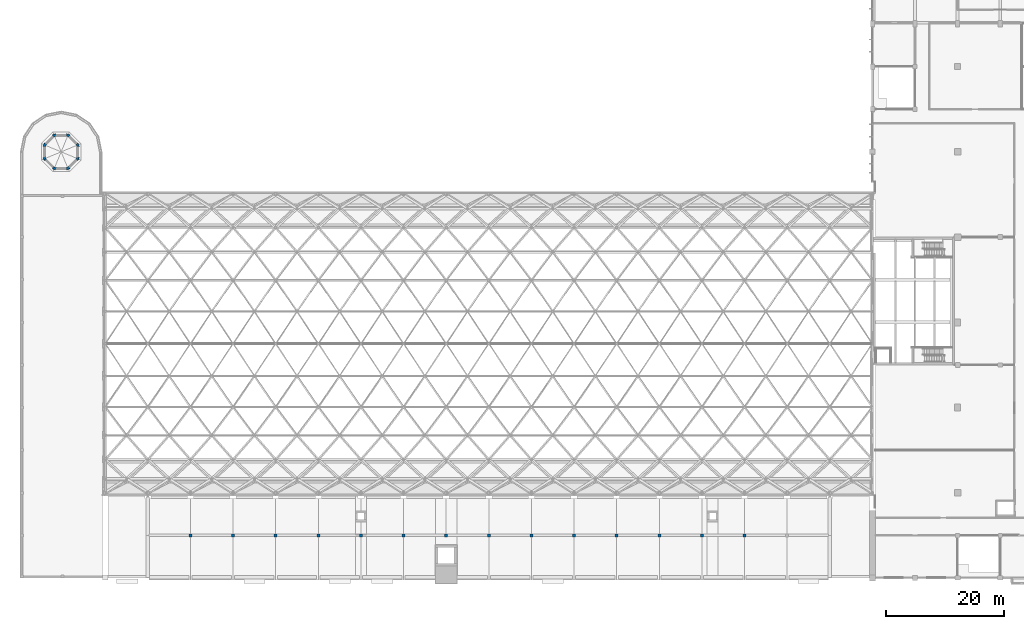
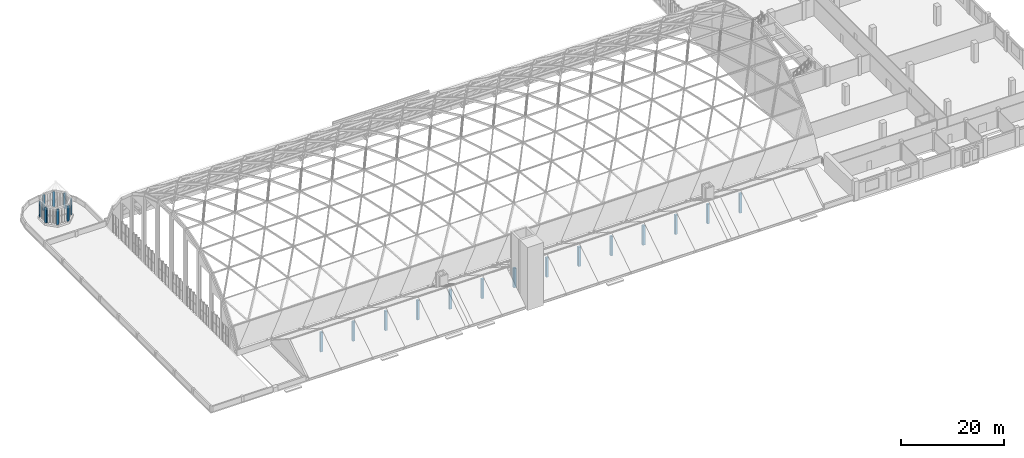
# One storey, part 1 of 52: 22 columns.
"""IFC4 building model written with IfcOpenShell, lengths in metres."""

from ifc_helpers import new_model, si_unit, direction, frame, origin, origin_2d, place, context, subcontext, project, spatial, rectangle, extrude, material, material_profile, profile_set, type_object, element, save


model = new_model("IFC4")

# Units and contexts
model_context = context("Model", 3, precision=1e-05, world=origin(), true_north=direction((0.0, 1.0)))
body_context = subcontext(model_context, "Body", "Model", "MODEL_VIEW")
ifc_project = project(units=[si_unit("LENGTHUNIT", "METRE"), si_unit("AREAUNIT", "SQUARE_METRE"), si_unit("VOLUMEUNIT", "CUBIC_METRE"), si_unit("PLANEANGLEUNIT", "RADIAN"), si_unit("MASSUNIT", "GRAM", prefix="KILO")], contexts=[model_context])

# Site, building, storey
site_placement = place(None, origin())
site = spatial("IfcSite", under=ifc_project, at=site_placement, CompositionType="ELEMENT")
building_placement = place(site_placement, origin())
building = spatial("IfcBuilding", under=site, at=building_placement, Name="Vermilion Court Aquatics Centre", CompositionType="ELEMENT")
storey_placement = place(building_placement, frame((0.0, 0.0, 12.0)))
storey = spatial("IfcBuildingStorey", under=building, at=storey_placement, Name="L02", CompositionType="ELEMENT", Elevation=12.0)

# Columns
ifc_material_1 = material(Name="Concrete 5000 psi", Category="concrete")
ifc_material_profile_1 = material_profile(ifc_material_1, rectangle(XDim=0.35009765625, YDim=0.5, at=origin_2d()), Name="RC 350x500")
ifc_profile_set_1 = profile_set([ifc_material_profile_1], Name="Concrete 5000 psi")
column_type_1 = type_object("IfcColumnType", Name="Rotunda lantern pier column RC 350x500", PredefinedType="COLUMN", material=ifc_profile_set_1)
for number, where, z_axis, x_axis, name in (
    (1, (9.7314453125, 73.152099609375, 0.449951171875), (0.0, 0.0, 1.0), (0.923879532511, 0.382683432365, 0.0), "Rotunda lantern pier"),
    (2, (8.10205078125, 74.781494140625, 0.449951171875), (0.0, 0.0, 1.0), (0.382683432365, 0.923879532511, 0.0), "Rotunda lantern pier"),
    (3, (5.7978515625, 74.781494140625, 0.449951171875), (0.0, 0.0, 1.0), (-0.382683432365, 0.923879532511, 0.0), "Rotunda lantern pier"),
    (4, (4.168701171875, 73.152099609375, 0.449951171875), (0.0, 0.0, 1.0), (-0.923879532511, 0.382683432365, 0.0), "Rotunda lantern pier"),
    (5, (4.168701171875, 70.847900390625, 0.449951171875), (0.0, 0.0, 1.0), (-0.923879532511, -0.382683432365, 0.0), "Rotunda lantern pier"),
    (6, (5.7978515625, 69.218505859375, 0.449951171875), (0.0, 0.0, 1.0), (-0.382683432365, -0.923879532511, 0.0), "Rotunda lantern pier"),
    (7, (8.10205078125, 69.218505859375, 0.449951171875), (0.0, 0.0, 1.0), (0.382683432365, -0.923879532511, 0.0), "Rotunda lantern pier"),
    (8, (9.7314453125, 70.847900390625, 0.449951171875), (0.0, 0.0, 1.0), (0.923879532511, -0.382683432365, 0.0), "Rotunda lantern pier"),
):
    element("IfcColumn", number, at=place(storey_placement, frame(where, z_axis=z_axis, x_axis=x_axis)), inside=storey, type_object=column_type_1, Name=name, PredefinedType="COLUMN", context=body_context, shape_type="SweptSolid", body=[
        extrude(rectangle(XDim=0.35009765625, YDim=0.5, at=origin_2d()), origin(), (0.0, 0.0, 1.0), 3.650146484375),
    ])
ifc_material_2 = material(Name="Concrete 5000 psi", Category="concrete")
ifc_material_profile_2 = material_profile(ifc_material_2, rectangle(XDim=0.5, YDim=0.5, at=origin_2d()), Name="RC 500x500")
ifc_profile_set_2 = profile_set([ifc_material_profile_2], Name="Concrete 5000 psi")
column_type_2 = type_object("IfcColumnType", Name="South column RC 500x500", PredefinedType="COLUMN", material=ifc_profile_set_2)
for number, where, z_axis, x_axis, name in (
    (9, (28.800048828125, 7.199951171875, 0.0), (0.0, 0.0, 1.0), (1.0, 0.0, 0.0), "South attic column"),
    (10, (36.0, 7.199951171875, 0.0), (0.0, 0.0, 1.0), (1.0, 0.0, 0.0), "South attic column"),
    (11, (43.199951171875, 7.199951171875, 0.0), (0.0, 0.0, 1.0), (1.0, 0.0, 0.0), "South attic column"),
    (12, (50.39990234375, 7.199951171875, 0.0), (0.0, 0.0, 1.0), (1.0, 0.0, 0.0), "South attic column"),
    (13, (57.60009765625, 7.199951171875, 0.0), (0.0, 0.0, 1.0), (1.0, 0.0, 0.0), "South attic column"),
    (14, (64.800048828125, 7.199951171875, 0.0), (0.0, 0.0, 1.0), (1.0, 0.0, 0.0), "South attic column"),
    (15, (72.0, 7.199951171875, 0.0), (0.0, 0.0, 1.0), (1.0, 0.0, 0.0), "South attic column"),
    (16, (79.199951171875, 7.199951171875, 0.0), (0.0, 0.0, 1.0), (1.0, 0.0, 0.0), "South attic column"),
    (17, (86.39990234375, 7.199951171875, 0.0), (0.0, 0.0, 1.0), (1.0, 0.0, 0.0), "South attic column"),
    (18, (93.60009765625, 7.199951171875, 0.0), (0.0, 0.0, 1.0), (1.0, 0.0, 0.0), "South attic column"),
    (19, (100.800048828125, 7.199951171875, 0.0), (0.0, 0.0, 1.0), (1.0, 0.0, 0.0), "South attic column"),
    (20, (108.0, 7.199951171875, 0.0), (0.0, 0.0, 1.0), (1.0, 0.0, 0.0), "South attic column"),
    (21, (115.199951171875, 7.199951171875, 0.0), (0.0, 0.0, 1.0), (1.0, 0.0, 0.0), "South attic column"),
    (22, (122.39990234375, 7.199951171875, 0.0), (0.0, 0.0, 1.0), (1.0, 0.0, 0.0), "South attic column"),
):
    element("IfcColumn", number, at=place(storey_placement, frame(where, z_axis=z_axis, x_axis=x_axis)), inside=storey, type_object=column_type_2, Name=name, PredefinedType="COLUMN", context=body_context, shape_type="SweptSolid", body=[
        extrude(rectangle(XDim=0.5, YDim=0.5, at=origin_2d()), origin(), (0.0, 0.0, 1.0), 4.5859375),
    ])

save(model, "model.ifc")
